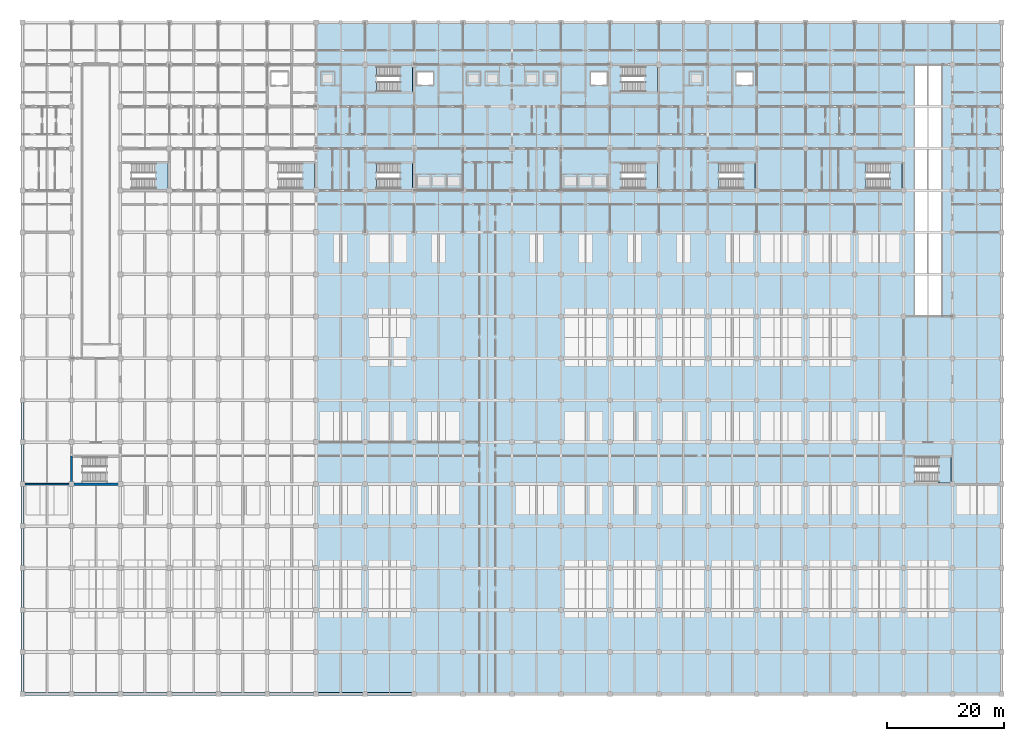
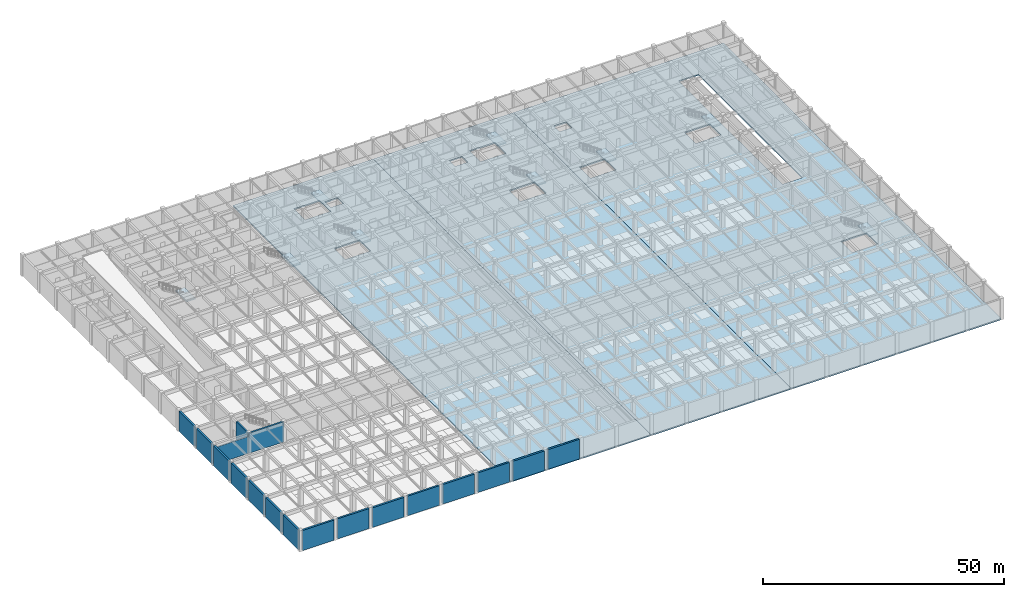
# One storey, part 12 of 48: 18 walls, 12 slabs, 9 elements without a shape of their own.
"""IFC4 building model written with IfcOpenShell, lengths in metres."""

from ifc_helpers import new_model, si_unit, direction, frame, frame_2d, origin, place, context, subcontext, project, spatial, polyline, rectangle, outline, extrude, material, layer, layer_set, type_object, element, aggregate, save


model = new_model("IFC4")

# Units and contexts
model_context = context("Model", 3, precision=1e-05, world=origin(), true_north=direction((0.0, 1.0)))
body_context = subcontext(model_context, "Body", "Model", "MODEL_VIEW")
ifc_project = project(units=[si_unit("LENGTHUNIT", "METRE"), si_unit("AREAUNIT", "SQUARE_METRE"), si_unit("VOLUMEUNIT", "CUBIC_METRE"), si_unit("PLANEANGLEUNIT", "RADIAN"), si_unit("MASSUNIT", "GRAM", prefix="KILO")], contexts=[model_context])

# Site, building, storey
site_placement = place(None, origin())
site = spatial("IfcSite", under=ifc_project, at=site_placement, CompositionType="ELEMENT")
building_placement = place(site_placement, origin())
building = spatial("IfcBuilding", under=site, at=building_placement, Name="Chengyuan Square Courthouse", CompositionType="ELEMENT")
storey_placement = place(building_placement, frame((0.0, 0.0, -5.39990234375)))
storey = spatial("IfcBuildingStorey", under=building, at=storey_placement, Name="B01", CompositionType="ELEMENT", Elevation=-5.39990234375)

# Slabs
ifc_material_1 = material(Name="Concrete C40", Category="concrete")
ifc_layer_1 = layer(ifc_material_1, 0.320068359375)
ifc_layer_set_1 = layer_set([ifc_layer_1], Name="Concrete C40")
slab_type_1 = type_object("IfcSlabType", Name="SL-B01", PredefinedType="FLOOR", material=ifc_layer_set_1)
slab_1_placement = place(storey_placement, frame((0.0, 0.0, -0.320068359375)))
element("IfcSlab", 1, at=slab_1_placement, inside=storey, type_object=slab_type_1, Name="Suspended Floor Slab SL-B01-02", PredefinedType="FLOOR", context=body_context, shape_type="SweptSolid", body=[
    extrude(outline(polyline([(58.800048828125, 115.199951171875), (67.199951171875, 115.199951171875), (75.60009765625, 115.199951171875), (84.0, 115.199951171875), (84.0, 0.0), (75.60009765625, 0.0), (67.199951171875, 0.0), (58.800048828125, 0.0), (50.39990234375, 0.0), (50.39990234375, 115.199951171875), (58.800048828125, 115.199951171875)]), holes=[polyline([(60.75, 91.199951171875), (60.75, 86.60009765625), (66.89990234375, 86.60009765625), (66.89990234375, 91.199951171875), (60.75, 91.199951171875)]), polyline([(60.75, 107.800048828125), (60.75, 103.199951171875), (66.89990234375, 103.199951171875), (66.89990234375, 107.800048828125), (60.75, 107.800048828125)]), polyline([(67.60009765625, 106.800048828125), (67.60009765625, 104.39990234375), (70.60009765625, 104.39990234375), (70.60009765625, 106.800048828125), (67.60009765625, 106.800048828125)])]), origin(), (0.0, 0.0, 1.0), 0.320068359375),
])
slab_2_placement = place(storey_placement, frame((0.0, 0.0, -0.320068359375)))
element("IfcSlab", 2, at=slab_2_placement, inside=storey, type_object=slab_type_1, Name="Suspended Floor Slab SL-B01-03", PredefinedType="FLOOR", context=body_context, shape_type="SweptSolid", body=[
    extrude(outline(polyline([(92.39990234375, 115.199951171875), (100.800048828125, 115.199951171875), (109.199951171875, 115.199951171875), (117.60009765625, 115.199951171875), (117.60009765625, 0.0), (109.199951171875, 0.0), (100.800048828125, 0.0), (92.39990234375, 0.0), (84.0, 0.0), (84.0, 115.199951171875), (92.39990234375, 115.199951171875)]), holes=[polyline([(97.39990234375, 106.800048828125), (97.39990234375, 104.39990234375), (100.39990234375, 104.39990234375), (100.39990234375, 106.800048828125), (97.39990234375, 106.800048828125)]), polyline([(102.75, 91.199951171875), (102.75, 86.60009765625), (108.89990234375, 86.60009765625), (108.89990234375, 91.199951171875), (102.75, 91.199951171875)]), polyline([(102.75, 107.800048828125), (102.75, 103.199951171875), (108.89990234375, 103.199951171875), (108.89990234375, 107.800048828125), (102.75, 107.800048828125)])]), origin(), (0.0, 0.0, 1.0), 0.320068359375),
])
slab_3_placement = place(storey_placement, frame((0.0, 0.0, -0.320068359375)))
element("IfcSlab", 3, at=slab_3_placement, inside=storey, type_object=slab_type_1, Name="Suspended Floor Slab SL-B01-04", PredefinedType="FLOOR", context=body_context, shape_type="SweptSolid", body=[
    extrude(outline(polyline([(126.0, 115.199951171875), (134.39990234375, 115.199951171875), (142.800048828125, 115.199951171875), (151.199951171875, 115.199951171875), (159.60009765625, 115.199951171875), (168.0, 115.199951171875), (168.0, 108.0), (168.0, 100.800048828125), (168.0, 93.60009765625), (168.0, 86.39990234375), (168.0, 79.199951171875), (168.0, 72.0), (168.0, 64.800048828125), (168.0, 57.60009765625), (168.0, 50.39990234375), (168.0, 43.199951171875), (168.0, 36.0), (168.0, 28.800048828125), (168.0, 21.60009765625), (168.0, 14.39990234375), (168.0, 7.199951171875), (168.0, 0.0), (159.60009765625, 0.0), (151.199951171875, 0.0), (142.800048828125, 0.0), (134.39990234375, 0.0), (126.0, 0.0), (117.60009765625, 0.0), (117.60009765625, 115.199951171875), (126.0, 115.199951171875)]), holes=[polyline([(153.14990234375, 40.800048828125), (153.14990234375, 36.199951171875), (159.300048828125, 36.199951171875), (159.300048828125, 40.800048828125), (153.14990234375, 40.800048828125)]), polyline([(153.0, 108.0), (153.0, 64.800048828125), (157.800048828125, 64.800048828125), (157.800048828125, 108.0), (153.0, 108.0)]), polyline([(119.550048828125, 91.199951171875), (119.550048828125, 86.60009765625), (125.699951171875, 86.60009765625), (125.699951171875, 91.199951171875), (119.550048828125, 91.199951171875)]), polyline([(144.75, 91.199951171875), (144.75, 86.60009765625), (150.89990234375, 86.60009765625), (150.89990234375, 91.199951171875), (144.75, 91.199951171875)]), polyline([(122.39990234375, 106.800048828125), (122.39990234375, 104.39990234375), (125.39990234375, 104.39990234375), (125.39990234375, 106.800048828125), (122.39990234375, 106.800048828125)])]), origin(), (0.0, 0.0, 1.0), 0.320068359375),
])

# Stair, slab
stair_type_1 = type_object("IfcStairType", Name="ST-TYPE-01", PredefinedType="HALF_TURN_STAIR", material=ifc_material_1)
stair_1_placement = place(storey_placement, origin())
stair_1 = element("IfcStair", 4, at=stair_1_placement, inside=storey, type_object=stair_type_1, Name="Smoke-Proof Exit Stair ST-1 (B01 to L01)", PredefinedType="HALF_TURN_STAIR")
ifc_layer_2 = layer(ifc_material_1, 0.18994140625)
ifc_layer_set_2 = layer_set([ifc_layer_2], Name="Concrete C40")
slab_type_2 = type_object("IfcSlabType", Name="SL-LND1", PredefinedType="LANDING", material=ifc_layer_set_2)
slab_4_placement = place(storey_placement, frame((0.0, 0.0, 2.510009765625)))
slab_4 = element("IfcSlab", 5, at=slab_4_placement, type_object=slab_type_2, Name="ST-1 landing 1", PredefinedType="LANDING", context=body_context, shape_type="SweptSolid", body=[
    extrude(outline(polyline([(64.72998046875, 103.159912109375), (66.93994140625, 103.159912109375), (66.93994140625, 107.840087890625), (64.72998046875, 107.840087890625), (64.72998046875, 103.159912109375)])), origin(), (0.0, 0.0, 1.0), 0.18994140625),
])
aggregate(stair_1, [slab_4])

stair_type_2 = type_object("IfcStairType", Name="ST-TYPE-02", PredefinedType="HALF_TURN_STAIR", material=ifc_material_1)
stair_2_placement = place(storey_placement, origin())
stair_2 = element("IfcStair", 6, at=stair_2_placement, inside=storey, type_object=stair_type_2, Name="Smoke-Proof Exit Stair ST-2 (B01 to L01)", PredefinedType="HALF_TURN_STAIR")
slab_5_placement = place(storey_placement, frame((0.0, 0.0, 2.510009765625)))
slab_5 = element("IfcSlab", 7, at=slab_5_placement, type_object=slab_type_2, Name="ST-2 landing 1", PredefinedType="LANDING", context=body_context, shape_type="SweptSolid", body=[
    extrude(outline(polyline([(106.72998046875, 103.159912109375), (108.93994140625, 103.159912109375), (108.93994140625, 107.840087890625), (106.72998046875, 107.840087890625), (106.72998046875, 103.159912109375)])), origin(), (0.0, 0.0, 1.0), 0.18994140625),
])
aggregate(stair_2, [slab_5])

stair_type_3 = type_object("IfcStairType", Name="ST-TYPE-03", PredefinedType="HALF_TURN_STAIR", material=ifc_material_1)
stair_3_placement = place(storey_placement, origin())
stair_3 = element("IfcStair", 8, at=stair_3_placement, inside=storey, type_object=stair_type_3, Name="Smoke-Proof Exit Stair ST-3 (B01 to L01)", PredefinedType="HALF_TURN_STAIR")
slab_6_placement = place(storey_placement, frame((0.0, 0.0, 2.510009765625)))
slab_6 = element("IfcSlab", 9, at=slab_6_placement, type_object=slab_type_2, Name="ST-3 landing 1", PredefinedType="LANDING", context=body_context, shape_type="SweptSolid", body=[
    extrude(outline(polyline([(64.72998046875, 86.56005859375), (66.93994140625, 86.56005859375), (66.93994140625, 91.239990234375), (64.72998046875, 91.239990234375), (64.72998046875, 86.56005859375)])), origin(), (0.0, 0.0, 1.0), 0.18994140625),
])
aggregate(stair_3, [slab_6])

stair_type_4 = type_object("IfcStairType", Name="ST-TYPE-04", PredefinedType="HALF_TURN_STAIR", material=ifc_material_1)
stair_4_placement = place(storey_placement, origin())
stair_4 = element("IfcStair", 10, at=stair_4_placement, inside=storey, type_object=stair_type_4, Name="Smoke-Proof Exit Stair ST-4 (B01 to L01)", PredefinedType="HALF_TURN_STAIR")
slab_7_placement = place(storey_placement, frame((0.0, 0.0, 2.510009765625)))
slab_7 = element("IfcSlab", 11, at=slab_7_placement, type_object=slab_type_2, Name="ST-4 landing 1", PredefinedType="LANDING", context=body_context, shape_type="SweptSolid", body=[
    extrude(outline(polyline([(106.72998046875, 86.56005859375), (108.93994140625, 86.56005859375), (108.93994140625, 91.239990234375), (106.72998046875, 91.239990234375), (106.72998046875, 86.56005859375)])), origin(), (0.0, 0.0, 1.0), 0.18994140625),
])
aggregate(stair_4, [slab_7])

stair_type_5 = type_object("IfcStairType", Name="ST-TYPE-05", PredefinedType="HALF_TURN_STAIR", material=ifc_material_1)
stair_5_placement = place(storey_placement, origin())
stair_5 = element("IfcStair", 12, at=stair_5_placement, inside=storey, type_object=stair_type_5, Name="Smoke-Proof Exit Stair ST-5 (B01 to L01)", PredefinedType="HALF_TURN_STAIR")
slab_8_placement = place(storey_placement, frame((0.0, 0.0, 2.510009765625)))
slab_8 = element("IfcSlab", 13, at=slab_8_placement, type_object=slab_type_2, Name="ST-5 landing 1", PredefinedType="LANDING", context=body_context, shape_type="SweptSolid", body=[
    extrude(outline(polyline([(47.929931640625, 86.56005859375), (50.139892578125, 86.56005859375), (50.139892578125, 91.239990234375), (47.929931640625, 91.239990234375), (47.929931640625, 86.56005859375)])), origin(), (0.0, 0.0, 1.0), 0.18994140625),
])
aggregate(stair_5, [slab_8])

stair_type_6 = type_object("IfcStairType", Name="ST-TYPE-06", PredefinedType="HALF_TURN_STAIR", material=ifc_material_1)
stair_6_placement = place(storey_placement, origin())
stair_6 = element("IfcStair", 14, at=stair_6_placement, inside=storey, type_object=stair_type_6, Name="Smoke-Proof Exit Stair ST-6 (B01 to L01)", PredefinedType="HALF_TURN_STAIR")
slab_9_placement = place(storey_placement, frame((0.0, 0.0, 2.510009765625)))
slab_9 = element("IfcSlab", 15, at=slab_9_placement, type_object=slab_type_2, Name="ST-6 landing 1", PredefinedType="LANDING", context=body_context, shape_type="SweptSolid", body=[
    extrude(outline(polyline([(123.530029296875, 86.56005859375), (125.739990234375, 86.56005859375), (125.739990234375, 91.239990234375), (123.530029296875, 91.239990234375), (123.530029296875, 86.56005859375)])), origin(), (0.0, 0.0, 1.0), 0.18994140625),
])
aggregate(stair_6, [slab_9])

stair_type_7 = type_object("IfcStairType", Name="ST-TYPE-08", PredefinedType="HALF_TURN_STAIR", material=ifc_material_1)
stair_7_placement = place(storey_placement, origin())
stair_7 = element("IfcStair", 16, at=stair_7_placement, inside=storey, type_object=stair_type_7, Name="Smoke-Proof Exit Stair ST-8 (B01 to L01)", PredefinedType="HALF_TURN_STAIR")
slab_10_placement = place(storey_placement, frame((0.0, 0.0, 2.510009765625)))
slab_10 = element("IfcSlab", 17, at=slab_10_placement, type_object=slab_type_2, Name="ST-8 landing 1", PredefinedType="LANDING", context=body_context, shape_type="SweptSolid", body=[
    extrude(outline(polyline([(157.1298828125, 36.159912109375), (159.340087890625, 36.159912109375), (159.340087890625, 40.840087890625), (157.1298828125, 40.840087890625), (157.1298828125, 36.159912109375)])), origin(), (0.0, 0.0, 1.0), 0.18994140625),
])
aggregate(stair_7, [slab_10])

stair_type_8 = type_object("IfcStairType", Name="ST-TYPE-09", PredefinedType="HALF_TURN_STAIR", material=ifc_material_1)
stair_8_placement = place(storey_placement, origin())
stair_8 = element("IfcStair", 18, at=stair_8_placement, inside=storey, type_object=stair_type_8, Name="Smoke-Proof Exit Stair ST-9 (B01 to L01)", PredefinedType="HALF_TURN_STAIR")
slab_11_placement = place(storey_placement, frame((0.0, 0.0, 2.510009765625)))
slab_11 = element("IfcSlab", 19, at=slab_11_placement, type_object=slab_type_2, Name="ST-9 landing 1", PredefinedType="LANDING", context=body_context, shape_type="SweptSolid", body=[
    extrude(outline(polyline([(22.72998046875, 86.56005859375), (24.93994140625, 86.56005859375), (24.93994140625, 91.239990234375), (22.72998046875, 91.239990234375), (22.72998046875, 86.56005859375)])), origin(), (0.0, 0.0, 1.0), 0.18994140625),
])
aggregate(stair_8, [slab_11])

stair_type_9 = type_object("IfcStairType", Name="ST-TYPE-10", PredefinedType="HALF_TURN_STAIR", material=ifc_material_1)
stair_9_placement = place(storey_placement, origin())
stair_9 = element("IfcStair", 20, at=stair_9_placement, inside=storey, type_object=stair_type_9, Name="Smoke-Proof Exit Stair ST-10 (B01 to L01)", PredefinedType="HALF_TURN_STAIR")
slab_12_placement = place(storey_placement, frame((0.0, 0.0, 2.510009765625)))
slab_12 = element("IfcSlab", 21, at=slab_12_placement, type_object=slab_type_2, Name="ST-10 landing 1", PredefinedType="LANDING", context=body_context, shape_type="SweptSolid", body=[
    extrude(outline(polyline([(148.72998046875, 86.56005859375), (150.93994140625, 86.56005859375), (150.93994140625, 91.239990234375), (148.72998046875, 91.239990234375), (148.72998046875, 86.56005859375)])), origin(), (0.0, 0.0, 1.0), 0.18994140625),
])
aggregate(stair_9, [slab_12])

# Walls
ifc_layer_3 = layer(ifc_material_1, 0.25)
ifc_layer_set_3 = layer_set([ifc_layer_3], Name="Concrete C40")
wall_type_1 = type_object("IfcWallType", Name="WL-FW1", PredefinedType="STANDARD", material=ifc_layer_set_3)
wall_1_placement = place(storey_placement, frame((0.0400390625, 36.0, 0.0), z_axis=(0.0, 0.0, 1.0), x_axis=(1.0, 0.0, 0.0)))
element("IfcWall", 22, at=wall_1_placement, inside=storey, type_object=wall_type_1, Name="Interior Wall WL-B01-I278", PredefinedType="STANDARD", context=body_context, shape_type="SweptSolid", body=[
    extrude(rectangle(XDim=8.35986328125, YDim=0.25, at=frame_2d((4.179931640625, 0.0))), origin(), (0.0, 0.0, 1.0), 4.25),
])
ifc_layer_4 = layer(ifc_material_1, 0.449951171875)
ifc_layer_set_4 = layer_set([ifc_layer_4], Name="Concrete C40")
wall_type_2 = type_object("IfcWallType", Name="WL-RW2", PredefinedType="USERDEFINED", material=ifc_layer_set_4)
wall_2_placement = place(storey_placement, frame((0.419921875, 0.0, 0.0), z_axis=(0.0, 0.0, 1.0), x_axis=(1.0, 0.0, 0.0)))
element("IfcWall", 23, at=wall_2_placement, inside=storey, type_object=wall_type_2, Name="Basement Retaining Wall WL-B01-E073", ObjectType="RETAININGWALL", PredefinedType="USERDEFINED", context=body_context, shape_type="SweptSolid", body=[
    extrude(rectangle(XDim=7.56005859375, YDim=0.449951171875, at=frame_2d((3.780029296875, 0.0))), origin(), (0.0, 0.0, 1.0), 5.099853515625),
])
wall_3_placement = place(storey_placement, frame((0.0, 0.419921875, 0.0), z_axis=(0.0, 0.0, 1.0), x_axis=(0.0, 1.0, 0.0)))
element("IfcWall", 24, at=wall_3_placement, inside=storey, type_object=wall_type_2, Name="Basement Retaining Wall WL-B01-E074", ObjectType="RETAININGWALL", PredefinedType="USERDEFINED", context=body_context, shape_type="SweptSolid", body=[
    extrude(rectangle(XDim=6.360107421875, YDim=0.449951171875, at=frame_2d((3.18017578125, 0.0))), origin(), (0.0, 0.0, 1.0), 5.099853515625),
])
for number, where, z_axis, x_axis, name in (
    (25, (0.0, 7.6201171875, 0.0), (0.0, 0.0, 1.0), (0.0, 1.0, 0.0), "Basement Retaining Wall WL-B01-E075"),
    (26, (0.0, 14.820068359375, 0.0), (0.0, 0.0, 1.0), (0.0, 1.0, 0.0), "Basement Retaining Wall WL-B01-E076"),
    (27, (0.0, 22.02001953125, 0.0), (0.0, 0.0, 1.0), (0.0, 1.0, 0.0), "Basement Retaining Wall WL-B01-E077"),
):
    element("IfcWall", number, at=place(storey_placement, frame(where, z_axis=z_axis, x_axis=x_axis)), inside=storey, type_object=wall_type_2, Name=name, ObjectType="RETAININGWALL", PredefinedType="USERDEFINED", context=body_context, shape_type="SweptSolid", body=[
        extrude(rectangle(XDim=6.35986328125, YDim=0.449951171875, at=frame_2d((3.179931640625, 0.0))), origin(), (0.0, 0.0, 1.0), 5.099853515625),
    ])
for number, where, z_axis, x_axis, name in (
    (28, (0.0, 29.219970703125, 0.0), (0.0, 0.0, 1.0), (0.0, 1.0, 0.0), "Basement Retaining Wall WL-B01-E078"),
    (29, (0.0, 36.419921875, 0.0), (0.0, 0.0, 1.0), (0.0, 1.0, 0.0), "Basement Retaining Wall WL-B01-E079"),
):
    element("IfcWall", number, at=place(storey_placement, frame(where, z_axis=z_axis, x_axis=x_axis)), inside=storey, type_object=wall_type_2, Name=name, ObjectType="RETAININGWALL", PredefinedType="USERDEFINED", context=body_context, shape_type="SweptSolid", body=[
        extrude(rectangle(XDim=6.360107421875, YDim=0.449951171875, at=frame_2d((3.18017578125, 0.0))), origin(), (0.0, 0.0, 1.0), 5.099853515625),
    ])
wall_4_placement = place(storey_placement, frame((0.0, 43.6201171875, 0.0), z_axis=(0.0, 0.0, 1.0), x_axis=(0.0, 1.0, 0.0)))
element("IfcWall", 30, at=wall_4_placement, inside=storey, type_object=wall_type_2, Name="Basement Retaining Wall WL-B01-E080", ObjectType="RETAININGWALL", PredefinedType="USERDEFINED", context=body_context, shape_type="SweptSolid", body=[
    extrude(rectangle(XDim=6.35986328125, YDim=0.449951171875, at=frame_2d((3.179931640625, 0.0))), origin(), (0.0, 0.0, 1.0), 5.099853515625),
])
wall_5_placement = place(storey_placement, frame((8.820068359375, 0.0, 0.0), z_axis=(0.0, 0.0, 1.0), x_axis=(1.0, 0.0, 0.0)))
element("IfcWall", 31, at=wall_5_placement, inside=storey, type_object=wall_type_2, Name="Basement Retaining Wall WL-B01-E091", ObjectType="RETAININGWALL", PredefinedType="USERDEFINED", context=body_context, shape_type="SweptSolid", body=[
    extrude(rectangle(XDim=7.559814453125, YDim=0.449951171875, at=frame_2d((3.77978515625, 0.0))), origin(), (0.0, 0.0, 1.0), 5.099853515625),
])
wall_6_placement = place(storey_placement, frame((17.219970703125, 0.0, 0.0), z_axis=(0.0, 0.0, 1.0), x_axis=(1.0, 0.0, 0.0)))
element("IfcWall", 32, at=wall_6_placement, inside=storey, type_object=wall_type_2, Name="Basement Retaining Wall WL-B01-E093", ObjectType="RETAININGWALL", PredefinedType="USERDEFINED", context=body_context, shape_type="SweptSolid", body=[
    extrude(rectangle(XDim=7.56005859375, YDim=0.449951171875, at=frame_2d((3.780029296875, 0.0))), origin(), (0.0, 0.0, 1.0), 4.97998046875),
])
wall_7_placement = place(storey_placement, frame((25.6201171875, 0.0, 0.0), z_axis=(0.0, 0.0, 1.0), x_axis=(1.0, 0.0, 0.0)))
element("IfcWall", 33, at=wall_7_placement, inside=storey, type_object=wall_type_2, Name="Basement Retaining Wall WL-B01-E095", ObjectType="RETAININGWALL", PredefinedType="USERDEFINED", context=body_context, shape_type="SweptSolid", body=[
    extrude(rectangle(XDim=7.559814453125, YDim=0.449951171875, at=frame_2d((3.77978515625, 0.0))), origin(), (0.0, 0.0, 1.0), 4.97998046875),
])
for number, where, z_axis, x_axis, name in (
    (34, (34.02001953125, 0.0, 0.0), (0.0, 0.0, 1.0), (1.0, 0.0, 0.0), "Basement Retaining Wall WL-B01-E097"),
    (35, (42.419921875, 0.0, 0.0), (0.0, 0.0, 1.0), (1.0, 0.0, 0.0), "Basement Retaining Wall WL-B01-E099"),
):
    element("IfcWall", number, at=place(storey_placement, frame(where, z_axis=z_axis, x_axis=x_axis)), inside=storey, type_object=wall_type_2, Name=name, ObjectType="RETAININGWALL", PredefinedType="USERDEFINED", context=body_context, shape_type="SweptSolid", body=[
        extrude(rectangle(XDim=7.56005859375, YDim=0.449951171875, at=frame_2d((3.780029296875, 0.0))), origin(), (0.0, 0.0, 1.0), 4.97998046875),
    ])
wall_8_placement = place(storey_placement, frame((50.820068359375, 0.0, 0.0), z_axis=(0.0, 0.0, 1.0), x_axis=(1.0, 0.0, 0.0)))
element("IfcWall", 36, at=wall_8_placement, inside=storey, type_object=wall_type_2, Name="Basement Retaining Wall WL-B01-E101", ObjectType="RETAININGWALL", PredefinedType="USERDEFINED", context=body_context, shape_type="SweptSolid", body=[
    extrude(rectangle(XDim=7.559814453125, YDim=0.449951171875, at=frame_2d((3.77978515625, 0.0))), origin(), (0.0, 0.0, 1.0), 4.97998046875),
])
wall_9_placement = place(storey_placement, frame((59.219970703125, 0.0, 0.0), z_axis=(0.0, 0.0, 1.0), x_axis=(1.0, 0.0, 0.0)))
element("IfcWall", 37, at=wall_9_placement, inside=storey, type_object=wall_type_2, Name="Basement Retaining Wall WL-B01-E103", ObjectType="RETAININGWALL", PredefinedType="USERDEFINED", context=body_context, shape_type="SweptSolid", body=[
    extrude(rectangle(XDim=7.56005859375, YDim=0.449951171875, at=frame_2d((3.780029296875, 0.0))), origin(), (0.0, 0.0, 1.0), 4.97998046875),
])
ifc_material_2 = material(Name="Concrete C50", Category="concrete")
ifc_layer_5 = layer(ifc_material_2, 0.39990234375)
ifc_layer_set_5 = layer_set([ifc_layer_5], Name="Concrete C50")
wall_type_3 = type_object("IfcWallType", Name="WL-SW1", PredefinedType="SHEAR", material=ifc_layer_set_5)
wall_10_placement = place(storey_placement, frame((8.39990234375, 36.0, 0.0), z_axis=(0.0, 0.0, 1.0), x_axis=(1.0, 0.0, 0.0)))
element("IfcWall", 38, at=wall_10_placement, inside=storey, type_object=wall_type_3, Name="Interior Wall WL-B01-I279", PredefinedType="SHEAR", context=body_context, shape_type="SweptSolid", body=[
    extrude(rectangle(XDim=8.400146484375, YDim=0.39990234375, at=frame_2d((4.2001953125, 0.0))), origin(), (0.0, 0.0, 1.0), 5.099853515625),
])
wall_11_placement = place(storey_placement, frame((8.39990234375, 36.0, 0.0), z_axis=(0.0, 0.0, 1.0), x_axis=(0.0, 1.0, 0.0)))
element("IfcWall", 39, at=wall_11_placement, inside=storey, type_object=wall_type_3, Name="Interior Wall WL-B01-I432", PredefinedType="SHEAR", context=body_context, shape_type="SweptSolid", body=[
    extrude(rectangle(XDim=4.800048828125, YDim=0.39990234375, at=frame_2d((2.39990234375, 0.0))), origin(), (0.0, 0.0, 1.0), 5.099853515625),
])

save(model, "model.ifc")
